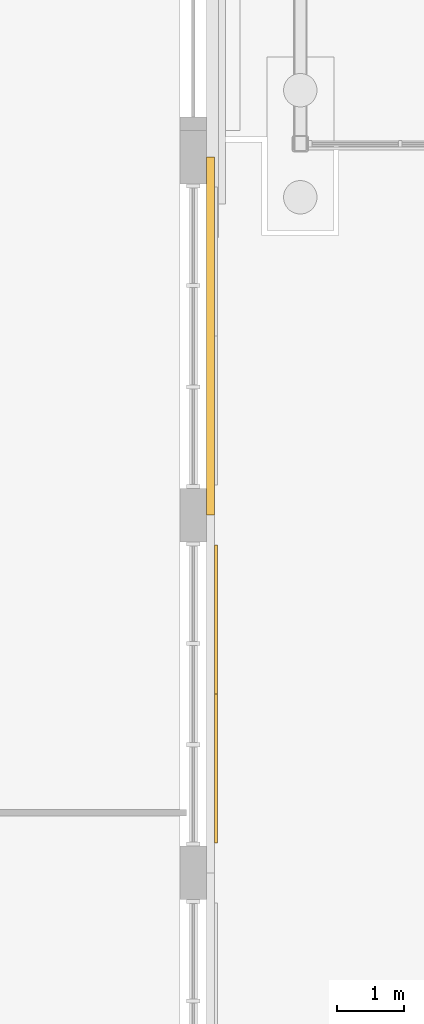
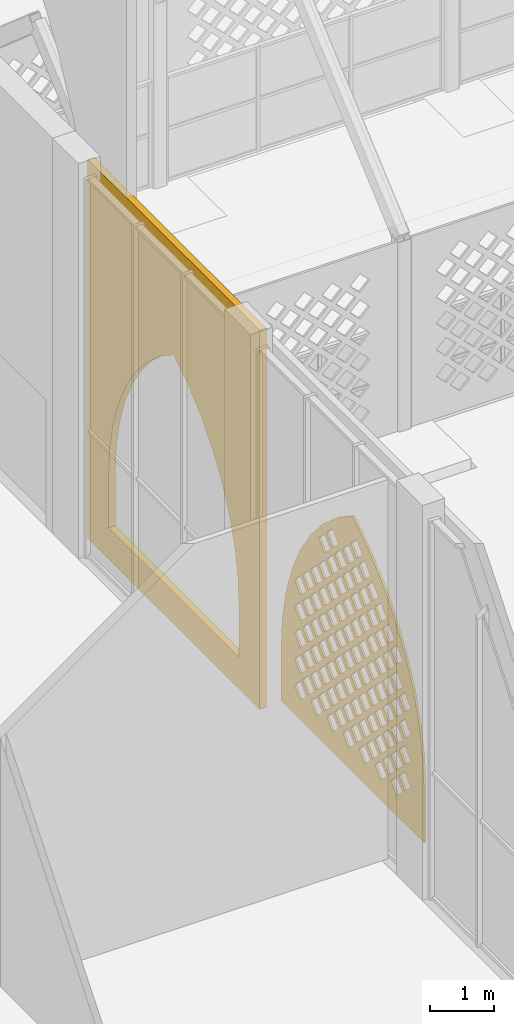
# One storey, part 58 of 79: 2 coverings.
"""IFC4 building model written with IfcOpenShell, lengths in metres."""

from ifc_helpers import new_model, si_unit, direction, frame, origin, place, context, subcontext, project, spatial, polyline, outline, extrude, material, layer, layer_set, type_object, element, save


model = new_model("IFC4")

# Units and contexts
model_context = context("Model", 3, precision=1e-05, world=origin(), true_north=direction((0.0, 1.0)))
body_context = subcontext(model_context, "Body", "Model", "MODEL_VIEW")
ifc_project = project(units=[si_unit("LENGTHUNIT", "METRE"), si_unit("AREAUNIT", "SQUARE_METRE"), si_unit("VOLUMEUNIT", "CUBIC_METRE"), si_unit("PLANEANGLEUNIT", "RADIAN"), si_unit("MASSUNIT", "GRAM", prefix="KILO")], contexts=[model_context])

# Site, building, storey
site_placement = place(None, origin())
site = spatial("IfcSite", under=ifc_project, at=site_placement, CompositionType="ELEMENT")
building_placement = place(site_placement, origin())
building = spatial("IfcBuilding", under=site, at=building_placement, Name="Noorbagh Ring Tower", CompositionType="ELEMENT")
storey_placement = place(building_placement, origin())
storey = spatial("IfcBuildingStorey", under=building, at=storey_placement, Name="L00", CompositionType="ELEMENT", Elevation=0.0)

# Coverings
ifc_material_1 = material(Name="Red sandstone jali", Category="masonry")
ifc_layer_1 = layer(ifc_material_1, 0.0400390625)
ifc_layer_set_1 = layer_set([ifc_layer_1], Name="Red sandstone jali")
covering_type_1 = type_object("IfcCoveringType", Name="STH-JALI", PredefinedType="USERDEFINED", material=ifc_layer_set_1)
covering_1_placement = place(storey_placement, frame((-94.840087890625, -9.25, 0.39990234375), z_axis=(1.0, 0.0, 0.0), x_axis=(0.0, 1.0, 0.0)))
element("IfcCovering", 1, at=covering_1_placement, inside=storey, type_object=covering_type_1, Name="Jali screen", ObjectType="SCREEN", PredefinedType="USERDEFINED", context=body_context, shape_type="SweptSolid", body=[
    extrude(outline(polyline([(0.0, 0.0), (4.449951171875, 0.0), (4.449951171875, 1.0), (4.411865234375, 1.580810546875), (4.29833984375, 2.15185546875), (4.111328125, 2.702880859375), (3.853759765625, 3.22509765625), (3.530517578125, 3.708984375), (3.146484375, 4.146728515625), (2.708984375, 4.530517578125), (2.22509765625, 4.85400390625), (1.740966796875, 4.530517578125), (1.303466796875, 4.146728515625), (0.919677734375, 3.708984375), (0.59619140625, 3.22509765625), (0.338623046875, 2.702880859375), (0.151611328125, 2.15185546875), (0.0380859375, 1.580810546875), (0.0, 1.0), (0.0, 0.0)]), holes=[polyline([(0.669921875, 0.552001953125), (0.85009765625, 0.371826171875), (1.030029296875, 0.552001953125), (0.85009765625, 0.73193359375), (0.669921875, 0.552001953125)]), polyline([(1.169921875, 0.552001953125), (1.35009765625, 0.371826171875), (1.530029296875, 0.552001953125), (1.35009765625, 0.73193359375), (1.169921875, 0.552001953125)]), polyline([(1.669921875, 0.552001953125), (1.85009765625, 0.371826171875), (2.030029296875, 0.552001953125), (1.85009765625, 0.73193359375), (1.669921875, 0.552001953125)]), polyline([(2.169921875, 0.552001953125), (2.35009765625, 0.371826171875), (2.530029296875, 0.552001953125), (2.35009765625, 0.73193359375), (2.169921875, 0.552001953125)]), polyline([(2.669921875, 0.552001953125), (2.85009765625, 0.371826171875), (3.030029296875, 0.552001953125), (2.85009765625, 0.73193359375), (2.669921875, 0.552001953125)]), polyline([(3.169921875, 0.552001953125), (3.35009765625, 0.371826171875), (3.530029296875, 0.552001953125), (3.35009765625, 0.73193359375), (3.169921875, 0.552001953125)]), polyline([(3.669921875, 0.552001953125), (3.85009765625, 0.371826171875), (4.030029296875, 0.552001953125), (3.85009765625, 0.73193359375), (3.669921875, 0.552001953125)]), polyline([(0.419921875, 0.802001953125), (0.60009765625, 0.621826171875), (0.780029296875, 0.802001953125), (0.60009765625, 0.98193359375), (0.419921875, 0.802001953125)]), polyline([(0.919921875, 0.802001953125), (1.10009765625, 0.621826171875), (1.280029296875, 0.802001953125), (1.10009765625, 0.98193359375), (0.919921875, 0.802001953125)]), polyline([(1.419921875, 0.802001953125), (1.60009765625, 0.621826171875), (1.780029296875, 0.802001953125), (1.60009765625, 0.98193359375), (1.419921875, 0.802001953125)]), polyline([(1.919921875, 0.802001953125), (2.10009765625, 0.621826171875), (2.280029296875, 0.802001953125), (2.10009765625, 0.98193359375), (1.919921875, 0.802001953125)]), polyline([(2.419921875, 0.802001953125), (2.60009765625, 0.621826171875), (2.780029296875, 0.802001953125), (2.60009765625, 0.98193359375), (2.419921875, 0.802001953125)]), polyline([(2.919921875, 0.802001953125), (3.10009765625, 0.621826171875), (3.280029296875, 0.802001953125), (3.10009765625, 0.98193359375), (2.919921875, 0.802001953125)]), polyline([(3.419921875, 0.802001953125), (3.60009765625, 0.621826171875), (3.780029296875, 0.802001953125), (3.60009765625, 0.98193359375), (3.419921875, 0.802001953125)]), polyline([(0.669921875, 1.052001953125), (0.85009765625, 0.871826171875), (1.030029296875, 1.052001953125), (0.85009765625, 1.23193359375), (0.669921875, 1.052001953125)]), polyline([(1.169921875, 1.052001953125), (1.35009765625, 0.871826171875), (1.530029296875, 1.052001953125), (1.35009765625, 1.23193359375), (1.169921875, 1.052001953125)]), polyline([(1.669921875, 1.052001953125), (1.85009765625, 0.871826171875), (2.030029296875, 1.052001953125), (1.85009765625, 1.23193359375), (1.669921875, 1.052001953125)]), polyline([(2.169921875, 1.052001953125), (2.35009765625, 0.871826171875), (2.530029296875, 1.052001953125), (2.35009765625, 1.23193359375), (2.169921875, 1.052001953125)]), polyline([(2.669921875, 1.052001953125), (2.85009765625, 0.871826171875), (3.030029296875, 1.052001953125), (2.85009765625, 1.23193359375), (2.669921875, 1.052001953125)]), polyline([(3.169921875, 1.052001953125), (3.35009765625, 0.871826171875), (3.530029296875, 1.052001953125), (3.35009765625, 1.23193359375), (3.169921875, 1.052001953125)]), polyline([(3.669921875, 1.052001953125), (3.85009765625, 0.871826171875), (4.030029296875, 1.052001953125), (3.85009765625, 1.23193359375), (3.669921875, 1.052001953125)]), polyline([(0.419921875, 1.302001953125), (0.60009765625, 1.121826171875), (0.780029296875, 1.302001953125), (0.60009765625, 1.48193359375), (0.419921875, 1.302001953125)]), polyline([(0.919921875, 1.302001953125), (1.10009765625, 1.121826171875), (1.280029296875, 1.302001953125), (1.10009765625, 1.48193359375), (0.919921875, 1.302001953125)]), polyline([(1.419921875, 1.302001953125), (1.60009765625, 1.121826171875), (1.780029296875, 1.302001953125), (1.60009765625, 1.48193359375), (1.419921875, 1.302001953125)]), polyline([(1.919921875, 1.302001953125), (2.10009765625, 1.121826171875), (2.280029296875, 1.302001953125), (2.10009765625, 1.48193359375), (1.919921875, 1.302001953125)]), polyline([(2.419921875, 1.302001953125), (2.60009765625, 1.121826171875), (2.780029296875, 1.302001953125), (2.60009765625, 1.48193359375), (2.419921875, 1.302001953125)]), polyline([(2.919921875, 1.302001953125), (3.10009765625, 1.121826171875), (3.280029296875, 1.302001953125), (3.10009765625, 1.48193359375), (2.919921875, 1.302001953125)]), polyline([(3.419921875, 1.302001953125), (3.60009765625, 1.121826171875), (3.780029296875, 1.302001953125), (3.60009765625, 1.48193359375), (3.419921875, 1.302001953125)]), polyline([(0.669921875, 1.552001953125), (0.85009765625, 1.371826171875), (1.030029296875, 1.552001953125), (0.85009765625, 1.73193359375), (0.669921875, 1.552001953125)]), polyline([(1.169921875, 1.552001953125), (1.35009765625, 1.371826171875), (1.530029296875, 1.552001953125), (1.35009765625, 1.73193359375), (1.169921875, 1.552001953125)]), polyline([(1.669921875, 1.552001953125), (1.85009765625, 1.371826171875), (2.030029296875, 1.552001953125), (1.85009765625, 1.73193359375), (1.669921875, 1.552001953125)]), polyline([(2.169921875, 1.552001953125), (2.35009765625, 1.371826171875), (2.530029296875, 1.552001953125), (2.35009765625, 1.73193359375), (2.169921875, 1.552001953125)]), polyline([(2.669921875, 1.552001953125), (2.85009765625, 1.371826171875), (3.030029296875, 1.552001953125), (2.85009765625, 1.73193359375), (2.669921875, 1.552001953125)]), polyline([(3.169921875, 1.552001953125), (3.35009765625, 1.371826171875), (3.530029296875, 1.552001953125), (3.35009765625, 1.73193359375), (3.169921875, 1.552001953125)]), polyline([(3.669921875, 1.552001953125), (3.85009765625, 1.371826171875), (4.030029296875, 1.552001953125), (3.85009765625, 1.73193359375), (3.669921875, 1.552001953125)]), polyline([(0.419921875, 1.802001953125), (0.60009765625, 1.621826171875), (0.780029296875, 1.802001953125), (0.60009765625, 1.98193359375), (0.419921875, 1.802001953125)]), polyline([(0.919921875, 1.802001953125), (1.10009765625, 1.621826171875), (1.280029296875, 1.802001953125), (1.10009765625, 1.98193359375), (0.919921875, 1.802001953125)]), polyline([(1.419921875, 1.802001953125), (1.60009765625, 1.621826171875), (1.780029296875, 1.802001953125), (1.60009765625, 1.98193359375), (1.419921875, 1.802001953125)]), polyline([(1.919921875, 1.802001953125), (2.10009765625, 1.621826171875), (2.280029296875, 1.802001953125), (2.10009765625, 1.98193359375), (1.919921875, 1.802001953125)]), polyline([(2.419921875, 1.802001953125), (2.60009765625, 1.621826171875), (2.780029296875, 1.802001953125), (2.60009765625, 1.98193359375), (2.419921875, 1.802001953125)]), polyline([(2.919921875, 1.802001953125), (3.10009765625, 1.621826171875), (3.280029296875, 1.802001953125), (3.10009765625, 1.98193359375), (2.919921875, 1.802001953125)]), polyline([(3.419921875, 1.802001953125), (3.60009765625, 1.621826171875), (3.780029296875, 1.802001953125), (3.60009765625, 1.98193359375), (3.419921875, 1.802001953125)]), polyline([(0.669921875, 2.052001953125), (0.85009765625, 1.871826171875), (1.030029296875, 2.052001953125), (0.85009765625, 2.23193359375), (0.669921875, 2.052001953125)]), polyline([(1.169921875, 2.052001953125), (1.35009765625, 1.871826171875), (1.530029296875, 2.052001953125), (1.35009765625, 2.23193359375), (1.169921875, 2.052001953125)]), polyline([(1.669921875, 2.052001953125), (1.85009765625, 1.871826171875), (2.030029296875, 2.052001953125), (1.85009765625, 2.23193359375), (1.669921875, 2.052001953125)]), polyline([(2.169921875, 2.052001953125), (2.35009765625, 1.871826171875), (2.530029296875, 2.052001953125), (2.35009765625, 2.23193359375), (2.169921875, 2.052001953125)]), polyline([(2.669921875, 2.052001953125), (2.85009765625, 1.871826171875), (3.030029296875, 2.052001953125), (2.85009765625, 2.23193359375), (2.669921875, 2.052001953125)]), polyline([(3.169921875, 2.052001953125), (3.35009765625, 1.871826171875), (3.530029296875, 2.052001953125), (3.35009765625, 2.23193359375), (3.169921875, 2.052001953125)]), polyline([(3.669921875, 2.052001953125), (3.85009765625, 1.871826171875), (4.030029296875, 2.052001953125), (3.85009765625, 2.23193359375), (3.669921875, 2.052001953125)]), polyline([(0.419921875, 2.302001953125), (0.60009765625, 2.121826171875), (0.780029296875, 2.302001953125), (0.60009765625, 2.48193359375), (0.419921875, 2.302001953125)]), polyline([(0.919921875, 2.302001953125), (1.10009765625, 2.121826171875), (1.280029296875, 2.302001953125), (1.10009765625, 2.48193359375), (0.919921875, 2.302001953125)]), polyline([(1.419921875, 2.302001953125), (1.60009765625, 2.121826171875), (1.780029296875, 2.302001953125), (1.60009765625, 2.48193359375), (1.419921875, 2.302001953125)]), polyline([(1.919921875, 2.302001953125), (2.10009765625, 2.121826171875), (2.280029296875, 2.302001953125), (2.10009765625, 2.48193359375), (1.919921875, 2.302001953125)]), polyline([(2.419921875, 2.302001953125), (2.60009765625, 2.121826171875), (2.780029296875, 2.302001953125), (2.60009765625, 2.48193359375), (2.419921875, 2.302001953125)]), polyline([(2.919921875, 2.302001953125), (3.10009765625, 2.121826171875), (3.280029296875, 2.302001953125), (3.10009765625, 2.48193359375), (2.919921875, 2.302001953125)]), polyline([(3.419921875, 2.302001953125), (3.60009765625, 2.121826171875), (3.780029296875, 2.302001953125), (3.60009765625, 2.48193359375), (3.419921875, 2.302001953125)]), polyline([(0.669921875, 2.552001953125), (0.85009765625, 2.371826171875), (1.030029296875, 2.552001953125), (0.85009765625, 2.73193359375), (0.669921875, 2.552001953125)]), polyline([(1.169921875, 2.552001953125), (1.35009765625, 2.371826171875), (1.530029296875, 2.552001953125), (1.35009765625, 2.73193359375), (1.169921875, 2.552001953125)]), polyline([(1.669921875, 2.552001953125), (1.85009765625, 2.371826171875), (2.030029296875, 2.552001953125), (1.85009765625, 2.73193359375), (1.669921875, 2.552001953125)]), polyline([(2.169921875, 2.552001953125), (2.35009765625, 2.371826171875), (2.530029296875, 2.552001953125), (2.35009765625, 2.73193359375), (2.169921875, 2.552001953125)]), polyline([(2.669921875, 2.552001953125), (2.85009765625, 2.371826171875), (3.030029296875, 2.552001953125), (2.85009765625, 2.73193359375), (2.669921875, 2.552001953125)]), polyline([(3.169921875, 2.552001953125), (3.35009765625, 2.371826171875), (3.530029296875, 2.552001953125), (3.35009765625, 2.73193359375), (3.169921875, 2.552001953125)]), polyline([(3.669921875, 2.552001953125), (3.85009765625, 2.371826171875), (4.030029296875, 2.552001953125), (3.85009765625, 2.73193359375), (3.669921875, 2.552001953125)]), polyline([(0.919921875, 2.802001953125), (1.10009765625, 2.621826171875), (1.280029296875, 2.802001953125), (1.10009765625, 2.98193359375), (0.919921875, 2.802001953125)]), polyline([(1.419921875, 2.802001953125), (1.60009765625, 2.621826171875), (1.780029296875, 2.802001953125), (1.60009765625, 2.98193359375), (1.419921875, 2.802001953125)]), polyline([(1.919921875, 2.802001953125), (2.10009765625, 2.621826171875), (2.280029296875, 2.802001953125), (2.10009765625, 2.98193359375), (1.919921875, 2.802001953125)]), polyline([(2.419921875, 2.802001953125), (2.60009765625, 2.621826171875), (2.780029296875, 2.802001953125), (2.60009765625, 2.98193359375), (2.419921875, 2.802001953125)]), polyline([(2.919921875, 2.802001953125), (3.10009765625, 2.621826171875), (3.280029296875, 2.802001953125), (3.10009765625, 2.98193359375), (2.919921875, 2.802001953125)]), polyline([(3.419921875, 2.802001953125), (3.60009765625, 2.621826171875), (3.780029296875, 2.802001953125), (3.60009765625, 2.98193359375), (3.419921875, 2.802001953125)]), polyline([(0.669921875, 3.052001953125), (0.85009765625, 2.871826171875), (1.030029296875, 3.052001953125), (0.85009765625, 3.23193359375), (0.669921875, 3.052001953125)]), polyline([(1.169921875, 3.052001953125), (1.35009765625, 2.871826171875), (1.530029296875, 3.052001953125), (1.35009765625, 3.23193359375), (1.169921875, 3.052001953125)]), polyline([(1.669921875, 3.052001953125), (1.85009765625, 2.871826171875), (2.030029296875, 3.052001953125), (1.85009765625, 3.23193359375), (1.669921875, 3.052001953125)]), polyline([(2.169921875, 3.052001953125), (2.35009765625, 2.871826171875), (2.530029296875, 3.052001953125), (2.35009765625, 3.23193359375), (2.169921875, 3.052001953125)]), polyline([(2.669921875, 3.052001953125), (2.85009765625, 2.871826171875), (3.030029296875, 3.052001953125), (2.85009765625, 3.23193359375), (2.669921875, 3.052001953125)]), polyline([(3.169921875, 3.052001953125), (3.35009765625, 2.871826171875), (3.530029296875, 3.052001953125), (3.35009765625, 3.23193359375), (3.169921875, 3.052001953125)]), polyline([(0.919921875, 3.302001953125), (1.10009765625, 3.121826171875), (1.280029296875, 3.302001953125), (1.10009765625, 3.48193359375), (0.919921875, 3.302001953125)]), polyline([(1.419921875, 3.302001953125), (1.60009765625, 3.121826171875), (1.780029296875, 3.302001953125), (1.60009765625, 3.48193359375), (1.419921875, 3.302001953125)]), polyline([(1.919921875, 3.302001953125), (2.10009765625, 3.121826171875), (2.280029296875, 3.302001953125), (2.10009765625, 3.48193359375), (1.919921875, 3.302001953125)]), polyline([(2.419921875, 3.302001953125), (2.60009765625, 3.121826171875), (2.780029296875, 3.302001953125), (2.60009765625, 3.48193359375), (2.419921875, 3.302001953125)]), polyline([(2.919921875, 3.302001953125), (3.10009765625, 3.121826171875), (3.280029296875, 3.302001953125), (3.10009765625, 3.48193359375), (2.919921875, 3.302001953125)]), polyline([(1.169921875, 3.552001953125), (1.35009765625, 3.371826171875), (1.530029296875, 3.552001953125), (1.35009765625, 3.73193359375), (1.169921875, 3.552001953125)]), polyline([(1.669921875, 3.552001953125), (1.85009765625, 3.371826171875), (2.030029296875, 3.552001953125), (1.85009765625, 3.73193359375), (1.669921875, 3.552001953125)]), polyline([(2.169921875, 3.552001953125), (2.35009765625, 3.371826171875), (2.530029296875, 3.552001953125), (2.35009765625, 3.73193359375), (2.169921875, 3.552001953125)]), polyline([(2.669921875, 3.552001953125), (2.85009765625, 3.371826171875), (3.030029296875, 3.552001953125), (2.85009765625, 3.73193359375), (2.669921875, 3.552001953125)]), polyline([(1.419921875, 3.802001953125), (1.60009765625, 3.621826171875), (1.780029296875, 3.802001953125), (1.60009765625, 3.98193359375), (1.419921875, 3.802001953125)]), polyline([(1.919921875, 3.802001953125), (2.10009765625, 3.621826171875), (2.280029296875, 3.802001953125), (2.10009765625, 3.98193359375), (1.919921875, 3.802001953125)]), polyline([(2.419921875, 3.802001953125), (2.60009765625, 3.621826171875), (2.780029296875, 3.802001953125), (2.60009765625, 3.98193359375), (2.419921875, 3.802001953125)]), polyline([(2.919921875, 3.802001953125), (3.10009765625, 3.621826171875), (3.280029296875, 3.802001953125), (3.10009765625, 3.98193359375), (2.919921875, 3.802001953125)]), polyline([(1.669921875, 4.052001953125), (1.85009765625, 3.871826171875), (2.030029296875, 4.052001953125), (1.85009765625, 4.23193359375), (1.669921875, 4.052001953125)]), polyline([(2.169921875, 4.052001953125), (2.35009765625, 3.871826171875), (2.530029296875, 4.052001953125), (2.35009765625, 4.23193359375), (2.169921875, 4.052001953125)]), polyline([(2.669921875, 4.052001953125), (2.85009765625, 3.871826171875), (3.030029296875, 4.052001953125), (2.85009765625, 4.23193359375), (2.669921875, 4.052001953125)]), polyline([(1.919921875, 4.302001953125), (2.10009765625, 4.121826171875), (2.280029296875, 4.302001953125), (2.10009765625, 4.48193359375), (1.919921875, 4.302001953125)])]), origin(), (0.0, 0.0, -1.0), 0.0400390625),
])
ifc_material_2 = material(Name="Red sandstone cladding", Category="masonry")
ifc_layer_2 = layer(ifc_material_2, 0.1201171875)
ifc_layer_set_2 = layer_set([ifc_layer_2], Name="Red sandstone cladding")
covering_type_2 = type_object("IfcCoveringType", Name="STH-SPANDREL", PredefinedType="USERDEFINED", material=ifc_layer_set_2)
covering_2_placement = place(storey_placement, frame((-94.8798828125, -4.35009765625, 0.0), z_axis=(1.0, 0.0, 0.0), x_axis=(0.0, 1.0, 0.0)))
element("IfcCovering", 2, at=covering_2_placement, inside=storey, type_object=covering_type_2, Name="Arch spandrel", ObjectType="ARCH", PredefinedType="USERDEFINED", context=body_context, shape_type="SweptSolid", body=[
    extrude(outline(polyline([(0.0, 0.0), (5.35009765625, 0.0), (5.35009765625, 7.199951171875), (0.0, 7.199951171875), (0.0, 0.0)]), holes=[polyline([(0.64990234375, 0.60009765625), (0.64990234375, 1.60009765625), (0.6845703125, 2.128662109375), (0.7880859375, 2.648193359375), (0.958251953125, 3.14990234375), (1.192626953125, 3.625), (1.48681640625, 4.0654296875), (1.836181640625, 4.4638671875), (2.234619140625, 4.81298828125), (2.675048828125, 5.107421875), (3.115478515625, 4.81298828125), (3.513916015625, 4.4638671875), (3.863037109375, 4.0654296875), (4.157470703125, 3.625), (4.3916015625, 3.14990234375), (4.56201171875, 2.648193359375), (4.665283203125, 2.128662109375), (4.699951171875, 1.60009765625), (4.699951171875, 0.60009765625), (0.64990234375, 0.60009765625)])]), origin(), (0.0, 0.0, -1.0), 0.1201171875),
])

save(model, "model.ifc")
